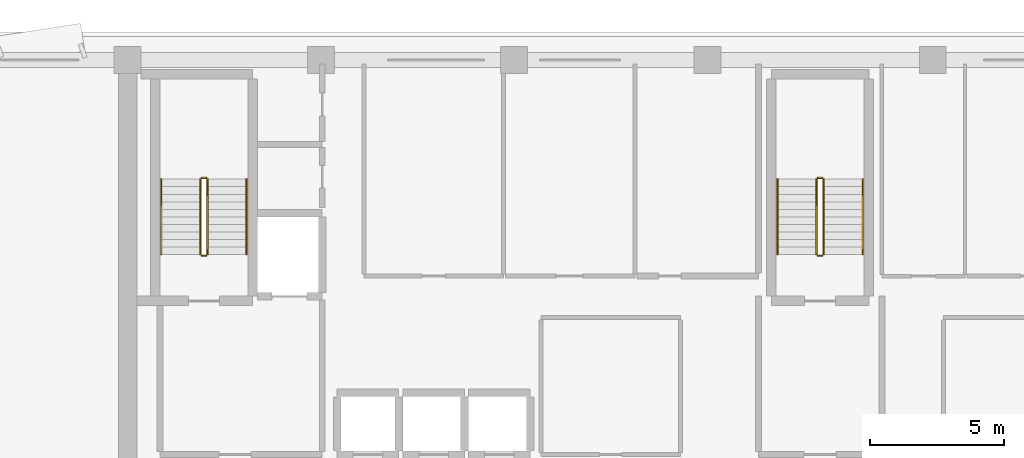
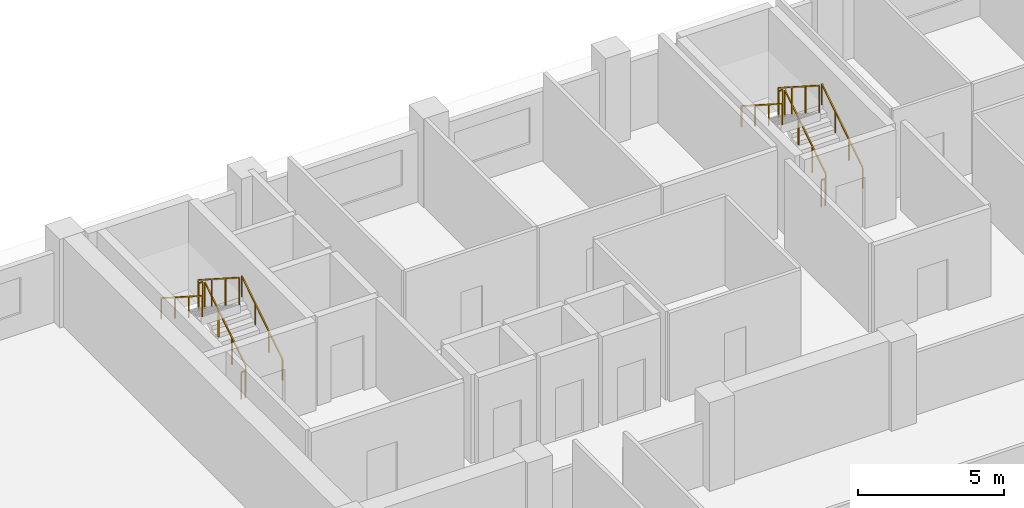
# One storey, part 10 of 11: 12 railings.
"""IFC4 building model written with IfcOpenShell, lengths in metres."""

import ifcopenshell
import ifcopenshell.guid

model = None  # the IFC model being written
_history = None  # IfcOwnerHistory: only IFC2X3 demands one
_inside = {}  # id of a spatial element -> (the spatial element, [elements in it])
_under = {}  # id of a project, library or spatial element -> (it, [spatial elements below it])
_declared = {}  # id of a project -> (the project, [libraries it declares])
_typed = {}  # id of a type object -> (the type object, [elements of that type])
_made_of = {}  # id of a material, layer set ... -> (it, [elements and type objects made of it])


def new_model(schema):
    """Start an empty IFC model of exactly this schema.

    Asked for "IFC4X3", IfcOpenShell would pick the latest addendum, in which some entities
    have other attributes; the version numbers below select the first issue.
    IFC2X3 requires an IfcOwnerHistory on every rooted entity: one is made here for all.
    """
    global model, _history
    if schema == "IFC4X3":
        model = ifcopenshell.file(schema_version=(4, 3, 0, 0))
    else:
        model = ifcopenshell.file(schema=schema)
    _inside.clear()
    _under.clear()
    _declared.clear()
    _typed.clear()
    _made_of.clear()
    _history = None
    if model.schema == "IFC2X3":
        org = make("IfcOrganization", Name="unknown")
        user = make(
            "IfcPersonAndOrganization",
            ThePerson=make("IfcPerson", FamilyName="unknown"),
            TheOrganization=org,
        )
        app = make(
            "IfcApplication",
            ApplicationDeveloper=org,
            Version="unknown",
            ApplicationFullName="unknown",
            ApplicationIdentifier="unknown",
        )
        _history = make(
            "IfcOwnerHistory",
            OwningUser=user,
            OwningApplication=app,
            ChangeAction="ADDED",
            CreationDate=0,
        )
    return model


def make(cls, **values):
    """One entity of the class cls with the attributes given. An attribute that is None is left unset."""
    return model.create_entity(
        cls, **{name: value for name, value in values.items() if value is not None}
    )


def rooted(cls, **values):
    """An entity with a GlobalId (a new one), such as an element, a storey or a relation."""
    return make(cls, GlobalId=ifcopenshell.guid.new(), OwnerHistory=_history, **values)


def si_unit(unit_type, name, prefix=None):
    """IfcSIUnit, for example si_unit("LENGTHUNIT", "METRE", prefix="MILLI")."""
    return make("IfcSIUnit", UnitType=unit_type, Prefix=prefix, Name=name)


def assignment(units):
    """IfcUnitAssignment: the units of a project."""
    return None if units is None else make("IfcUnitAssignment", Units=units)


def point(xyz):
    """IfcCartesianPoint."""
    return None if xyz is None else make("IfcCartesianPoint", Coordinates=xyz)


def direction(xyz):
    """IfcDirection."""
    return None if xyz is None else make("IfcDirection", DirectionRatios=xyz)


def frame(location, z_axis=None, x_axis=None):
    """IfcAxis2Placement3D, a coordinate frame: its origin and axes. An axis left out is left unset."""
    return make(
        "IfcAxis2Placement3D",
        Location=point(location),
        Axis=direction(z_axis),
        RefDirection=direction(x_axis),
    )


def frame_2d(location, x_axis=None):
    """IfcAxis2Placement2D, a coordinate frame in the plane: its origin and x axis."""
    return make(
        "IfcAxis2Placement2D", Location=point(location), RefDirection=direction(x_axis)
    )


def origin():
    """The frame at (0, 0, 0) with its axes left unset."""
    return frame((0.0, 0.0, 0.0))


def origin_2d():
    """The frame at (0, 0) in the plane with its x axis left unset."""
    return frame_2d((0.0, 0.0))


def place(relative_to, where):
    """IfcLocalPlacement: puts the frame where relative to a parent placement (None: the world)."""
    return make(
        "IfcLocalPlacement", PlacementRelTo=relative_to, RelativePlacement=where
    )


def context(
    kind, dimensions, precision=None, world=None, true_north=None, identifier=None
):
    """IfcGeometricRepresentationContext, for example the 3D "Model" context."""
    return make(
        "IfcGeometricRepresentationContext",
        ContextIdentifier=identifier,
        ContextType=kind,
        CoordinateSpaceDimension=dimensions,
        Precision=precision,
        WorldCoordinateSystem=world,
        TrueNorth=true_north,
    )


def subcontext(parent, identifier, kind, view, scale=None):
    """IfcGeometricRepresentationSubContext, for example "Body" below "Model"."""
    return make(
        "IfcGeometricRepresentationSubContext",
        ContextIdentifier=identifier,
        ContextType=kind,
        ParentContext=parent,
        TargetScale=scale,
        TargetView=view,
    )


def project(units=None, contexts=None):
    """IfcProject with its units and contexts."""
    return rooted(
        "IfcProject",
        Name="project",
        RepresentationContexts=contexts,
        UnitsInContext=assignment(units),
    )


def spatial(cls, under=None, at=None, **own):
    """A site, building, storey or space (cls), placed at a placement, below another one or the project."""
    s = rooted(cls, ObjectPlacement=at, **own)
    if under is not None:
        _under.setdefault(under.id(), (under, []))[1].append(s)
    return s


def profile(cls, at=None, kind="AREA", **sizes):
    """A parametric profile (cls). Its sizes go by their IFC names, for example OverallWidth=200.0."""
    return make(cls, ProfileType=kind, Position=at, **sizes)


def rectangle(**sizes):
    """IfcRectangleProfileDef."""
    return profile("IfcRectangleProfileDef", **sizes)


def extrude(swept, where, along, depth):
    """IfcExtrudedAreaSolid: the profile swept, set in the frame where, extruded along a direction by depth."""
    return make(
        "IfcExtrudedAreaSolid",
        SweptArea=swept,
        Position=where,
        ExtrudedDirection=direction(along),
        Depth=depth,
    )


def shape(context_of_items, identifier, shape_type, items):
    """IfcShapeRepresentation: the items that make up one representation, for example the "Body"."""
    return make(
        "IfcShapeRepresentation",
        ContextOfItems=context_of_items,
        RepresentationIdentifier=identifier,
        RepresentationType=shape_type,
        Items=items,
    )


def material(Name=None, Category=None):
    """IfcMaterial."""
    return make("IfcMaterial", Name=Name, Category=Category)


def made_of(thing, what):
    """Note that an element or type object is made of a material, layer set ...; save() writes the relation."""
    if what is not None:
        _made_of.setdefault(what.id(), (what, []))[1].append(thing)
    return thing


def type_object(cls, material=None, **own):
    """A type object (cls), such as IfcWallType, which elements share."""
    return made_of(rooted(cls, **own), material)


def element(
    cls,
    number,
    at=None,
    inside=None,
    cuts=None,
    type_object=None,
    material=None,
    context=None,
    identifier="Body",
    shape_type=None,
    held_by="IfcProductDefinitionShape",
    body=None,
    shapes=None,
    **own,
):
    """One element of the class cls, such as IfcWall. Its Tag is "e" and its number.

    at: its placement. inside: the storey or other place that contains it. cuts: it is an
    opening in that element (IfcRelVoidsElement). A single representation is given by context,
    identifier, shape_type and body (its items); several are given by shapes. held_by: the class
    of the entity that holds the representations. save() writes the other relations.
    """
    e = rooted(cls, Tag="e%d" % number, ObjectPlacement=at, **own)
    if body is not None:
        shapes = [shape(context, identifier, shape_type, body)]
    if shapes is not None:
        e.Representation = make(held_by, Representations=shapes)
    if inside is not None:
        _inside.setdefault(inside.id(), (inside, []))[1].append(e)
    if cuts is not None:
        rooted(
            "IfcRelVoidsElement", RelatingBuildingElement=cuts, RelatedOpeningElement=e
        )
    if type_object is not None:
        _typed.setdefault(type_object.id(), (type_object, []))[1].append(e)
    return made_of(e, material)


def aggregate(whole, parts):
    """IfcRelAggregates: a whole, such as a stair, and the parts it consists of."""
    return rooted("IfcRelAggregates", RelatingObject=whole, RelatedObjects=parts)


def save(model, path):
    """Write the relations noted so far, then the file.

    IfcRelAggregates (storeys below a building ...), IfcRelContainedInSpatialStructure (elements
    in a storey), IfcRelDefinesByType, IfcRelAssociatesMaterial and IfcRelDeclares: one each for
    every whole, place, type object, material and project.
    """
    for whole, parts in _under.values():
        aggregate(whole, parts)
    for where, things in _inside.values():
        rooted(
            "IfcRelContainedInSpatialStructure",
            RelatedElements=things,
            RelatingStructure=where,
        )
    for kind, things in _typed.values():
        rooted("IfcRelDefinesByType", RelatedObjects=things, RelatingType=kind)
    for what, things in _made_of.values():
        rooted("IfcRelAssociatesMaterial", RelatedObjects=things, RelatingMaterial=what)
    for by, libraries in _declared.values():
        rooted("IfcRelDeclares", RelatingContext=by, RelatedDefinitions=libraries)
    model.write(path)


model = new_model("IFC4")

# Units and contexts
model_context = context("Model", 3, precision=1e-05, world=origin(), true_north=direction((0.0, 1.0)))
body_context = subcontext(model_context, "Body", "Model", "MODEL_VIEW")
ifc_project = project(units=[si_unit("LENGTHUNIT", "METRE"), si_unit("AREAUNIT", "SQUARE_METRE"), si_unit("VOLUMEUNIT", "CUBIC_METRE"), si_unit("PLANEANGLEUNIT", "RADIAN"), si_unit("MASSUNIT", "GRAM", prefix="KILO")], contexts=[model_context])

# Site, building, storey
site_placement = place(None, origin())
site = spatial("IfcSite", under=ifc_project, at=site_placement, CompositionType="ELEMENT")
building_placement = place(site_placement, origin())
building = spatial("IfcBuilding", under=site, at=building_placement, Name="Kaelvorn Grand Hotel", CompositionType="ELEMENT")
storey_placement = place(building_placement, frame((0.0, 0.0, 244.949951171875)))
storey = spatial("IfcBuildingStorey", under=building, at=storey_placement, Name="L60", CompositionType="ELEMENT", Elevation=244.949951171875)

# Railings
ifc_material = material(Name="Stainless Steel", Category="steel")
railing_type_1 = type_object("IfcRailingType", Name="RL-HANDRAIL-900", PredefinedType="HANDRAIL", material=ifc_material)
railing_1_placement = place(storey_placement, frame((20.6298828125, 41.760009765625, 0.1796875)))
element("IfcRailing", 1, at=railing_1_placement, inside=storey, type_object=railing_type_1, Name="L60 ST1 stair handrail 1", PredefinedType="HANDRAIL", context=body_context, shape_type="SweptSolid", body=[
    extrude(rectangle(XDim=0.048095703125, YDim=0.048095703125, at=origin_2d()), frame((0.0, 0.0, 0.8759765625), z_axis=(0.0, 0.841809871826, 0.539774156196), x_axis=(-1.0, 0.0, 0.0)), (0.0, 0.0, 1.0), 3.326171875),
    extrude(rectangle(XDim=0.0419921875, YDim=0.0419921875, at=origin_2d()), origin(), (0.0, 0.0, 1.0), 0.851806640625),
    extrude(rectangle(XDim=0.0419921875, YDim=0.0419921875, at=origin_2d()), frame((0.0, 0.933349609375, 0.598388671875)), (0.0, 0.0, 1.0), 0.851806640625),
    extrude(rectangle(XDim=0.0419921875, YDim=0.0419921875, at=origin_2d()), frame((0.0, 1.86669921875, 1.197021484375)), (0.0, 0.0, 1.0), 0.851806640625),
    extrude(rectangle(XDim=0.0419921875, YDim=0.0419921875, at=origin_2d()), frame((0.0, 2.800048828125, 1.79541015625)), (0.0, 0.0, 1.0), 0.851806640625),
])
railing_2_placement = place(storey_placement, frame((17.449951171875, 44.56005859375, 2.154541015625)))
element("IfcRailing", 2, at=railing_2_placement, inside=storey, type_object=railing_type_1, Name="L60 ST1 stair handrail 2", PredefinedType="HANDRAIL", context=body_context, shape_type="SweptSolid", body=[
    extrude(rectangle(XDim=0.048095703125, YDim=0.048095703125, at=origin_2d()), frame((0.0, 0.0, 0.8759765625), z_axis=(0.0, -0.841809871826, 0.539774156196), x_axis=(1.0, 0.0, 0.0)), (0.0, 0.0, 1.0), 3.326171875),
    extrude(rectangle(XDim=0.0419921875, YDim=0.0419921875, at=origin_2d()), origin(), (0.0, 0.0, 1.0), 0.851806640625),
    extrude(rectangle(XDim=0.0419921875, YDim=0.0419921875, at=origin_2d()), frame((0.0, -0.933349609375, 0.598388671875)), (0.0, 0.0, 1.0), 0.851806640625),
    extrude(rectangle(XDim=0.0419921875, YDim=0.0419921875, at=origin_2d()), frame((0.0, -1.86669921875, 1.197021484375)), (0.0, 0.0, 1.0), 0.851806640625),
    extrude(rectangle(XDim=0.0419921875, YDim=0.0419921875, at=origin_2d()), frame((0.0, -2.800048828125, 1.79541015625)), (0.0, 0.0, 1.0), 0.851806640625),
])
railing_3_placement = place(storey_placement, frame((43.590087890625, 41.760009765625, 0.1796875)))
element("IfcRailing", 3, at=railing_3_placement, inside=storey, type_object=railing_type_1, Name="L60 ST2 stair handrail 1", PredefinedType="HANDRAIL", context=body_context, shape_type="SweptSolid", body=[
    extrude(rectangle(XDim=0.048095703125, YDim=0.048095703125, at=origin_2d()), frame((0.0, 0.0, 0.8759765625), z_axis=(0.0, 0.841809871826, 0.539774156196), x_axis=(-1.0, 0.0, 0.0)), (0.0, 0.0, 1.0), 3.326171875),
    extrude(rectangle(XDim=0.0419921875, YDim=0.0419921875, at=origin_2d()), origin(), (0.0, 0.0, 1.0), 0.851806640625),
    extrude(rectangle(XDim=0.0419921875, YDim=0.0419921875, at=origin_2d()), frame((0.0, 0.933349609375, 0.598388671875)), (0.0, 0.0, 1.0), 0.851806640625),
    extrude(rectangle(XDim=0.0419921875, YDim=0.0419921875, at=origin_2d()), frame((0.0, 1.86669921875, 1.197021484375)), (0.0, 0.0, 1.0), 0.851806640625),
    extrude(rectangle(XDim=0.0419921875, YDim=0.0419921875, at=origin_2d()), frame((0.0, 2.800048828125, 1.79541015625)), (0.0, 0.0, 1.0), 0.851806640625),
])
railing_4_placement = place(storey_placement, frame((40.409912109375, 44.56005859375, 2.154541015625)))
element("IfcRailing", 4, at=railing_4_placement, inside=storey, type_object=railing_type_1, Name="L60 ST2 stair handrail 2", PredefinedType="HANDRAIL", context=body_context, shape_type="SweptSolid", body=[
    extrude(rectangle(XDim=0.048095703125, YDim=0.048095703125, at=origin_2d()), frame((0.0, 0.0, 0.8759765625), z_axis=(0.0, -0.841809871826, 0.539774156196), x_axis=(1.0, 0.0, 0.0)), (0.0, 0.0, 1.0), 3.326171875),
    extrude(rectangle(XDim=0.0419921875, YDim=0.0419921875, at=origin_2d()), origin(), (0.0, 0.0, 1.0), 0.851806640625),
    extrude(rectangle(XDim=0.0419921875, YDim=0.0419921875, at=origin_2d()), frame((0.0, -0.933349609375, 0.598388671875)), (0.0, 0.0, 1.0), 0.851806640625),
    extrude(rectangle(XDim=0.0419921875, YDim=0.0419921875, at=origin_2d()), frame((0.0, -1.86669921875, 1.197021484375)), (0.0, 0.0, 1.0), 0.851806640625),
    extrude(rectangle(XDim=0.0419921875, YDim=0.0419921875, at=origin_2d()), frame((0.0, -2.800048828125, 1.79541015625)), (0.0, 0.0, 1.0), 0.851806640625),
])
railing_type_2 = type_object("IfcRailingType", Name="RL-STAIR-GUARD-1150", PredefinedType="BALUSTRADE", material=ifc_material)
railing_5_placement = place(storey_placement, frame((19.169921875, 41.760009765625, 0.1796875)))
element("IfcRailing", 5, at=railing_5_placement, inside=storey, type_object=railing_type_2, Name="L60 ST1 stair guard 1", PredefinedType="BALUSTRADE", context=body_context, shape_type="SweptSolid", body=[
    extrude(rectangle(XDim=0.048095703125, YDim=0.048095703125, at=origin_2d()), frame((0.0, 0.0, 1.1259765625), z_axis=(0.0, 0.841809871826, 0.539774156196), x_axis=(-1.0, 0.0, 0.0)), (0.0, 0.0, 1.0), 3.326171875),
    extrude(rectangle(XDim=0.0419921875, YDim=0.0419921875, at=origin_2d()), origin(), (0.0, 0.0, 1.0), 1.101806640625),
    extrude(rectangle(XDim=0.0419921875, YDim=0.0419921875, at=origin_2d()), frame((0.0, 0.933349609375, 0.598388671875)), (0.0, 0.0, 1.0), 1.101806640625),
    extrude(rectangle(XDim=0.0419921875, YDim=0.0419921875, at=origin_2d()), frame((0.0, 1.86669921875, 1.197021484375)), (0.0, 0.0, 1.0), 1.101806640625),
    extrude(rectangle(XDim=0.0419921875, YDim=0.0419921875, at=origin_2d()), frame((0.0, 2.800048828125, 1.79541015625)), (0.0, 0.0, 1.0), 1.101806640625),
])
railing_6_placement = place(storey_placement, frame((19.1201171875, 44.610107421875, 1.97509765625)))
element("IfcRailing", 6, at=railing_6_placement, inside=storey, type_object=railing_type_2, Name="L60 ST1 stair guard 2", PredefinedType="BALUSTRADE", context=body_context, shape_type="SweptSolid", body=[
    extrude(rectangle(XDim=0.048095703125, YDim=0.048095703125, at=origin_2d()), frame((0.0, 0.0, 1.1259765625), z_axis=(-1.0, 0.0, 0.0), x_axis=(0.0, -1.0, 0.0)), (0.0, 0.0, 1.0), 0.16015625),
    extrude(rectangle(XDim=0.0419921875, YDim=0.0419921875, at=origin_2d()), origin(), (0.0, 0.0, 1.0), 1.101806640625),
    extrude(rectangle(XDim=0.0419921875, YDim=0.0419921875, at=origin_2d()), frame((-0.16015625, 0.0, 0.0)), (0.0, 0.0, 1.0), 1.101806640625),
])
railing_7_placement = place(storey_placement, frame((18.909912109375, 44.56005859375, 2.154541015625)))
element("IfcRailing", 7, at=railing_7_placement, inside=storey, type_object=railing_type_2, Name="L60 ST1 stair guard 3", PredefinedType="BALUSTRADE", context=body_context, shape_type="SweptSolid", body=[
    extrude(rectangle(XDim=0.048095703125, YDim=0.048095703125, at=origin_2d()), frame((0.0, 0.0, 1.1259765625), z_axis=(0.0, -0.841809871826, 0.539774156196), x_axis=(1.0, 0.0, 0.0)), (0.0, 0.0, 1.0), 3.326171875),
    extrude(rectangle(XDim=0.0419921875, YDim=0.0419921875, at=origin_2d()), origin(), (0.0, 0.0, 1.0), 1.101806640625),
    extrude(rectangle(XDim=0.0419921875, YDim=0.0419921875, at=origin_2d()), frame((0.0, -0.933349609375, 0.598388671875)), (0.0, 0.0, 1.0), 1.101806640625),
    extrude(rectangle(XDim=0.0419921875, YDim=0.0419921875, at=origin_2d()), frame((0.0, -1.86669921875, 1.197021484375)), (0.0, 0.0, 1.0), 1.101806640625),
    extrude(rectangle(XDim=0.0419921875, YDim=0.0419921875, at=origin_2d()), frame((0.0, -2.800048828125, 1.79541015625)), (0.0, 0.0, 1.0), 1.101806640625),
])
railing_8_placement = place(storey_placement, frame((19.1201171875, 41.7099609375, 0.0)))
element("IfcRailing", 8, at=railing_8_placement, inside=storey, type_object=railing_type_2, Name="L60 ST1 stair guard 4", PredefinedType="BALUSTRADE", context=body_context, shape_type="SweptSolid", body=[
    extrude(rectangle(XDim=0.048095703125, YDim=0.048095703125, at=origin_2d()), frame((0.0, 0.0, 1.1259765625), z_axis=(-1.0, 0.0, 0.0), x_axis=(0.0, -1.0, 0.0)), (0.0, 0.0, 1.0), 0.16015625),
    extrude(rectangle(XDim=0.0419921875, YDim=0.0419921875, at=origin_2d()), origin(), (0.0, 0.0, 1.0), 1.101806640625),
    extrude(rectangle(XDim=0.0419921875, YDim=0.0419921875, at=origin_2d()), frame((-0.16015625, 0.0, 0.0)), (0.0, 0.0, 1.0), 1.101806640625),
])
railing_9_placement = place(storey_placement, frame((42.1298828125, 41.760009765625, 0.1796875)))
element("IfcRailing", 9, at=railing_9_placement, inside=storey, type_object=railing_type_2, Name="L60 ST2 stair guard 1", PredefinedType="BALUSTRADE", context=body_context, shape_type="SweptSolid", body=[
    extrude(rectangle(XDim=0.048095703125, YDim=0.048095703125, at=origin_2d()), frame((0.0, 0.0, 1.1259765625), z_axis=(0.0, 0.841809871826, 0.539774156196), x_axis=(-1.0, 0.0, 0.0)), (0.0, 0.0, 1.0), 3.326171875),
    extrude(rectangle(XDim=0.0419921875, YDim=0.0419921875, at=origin_2d()), origin(), (0.0, 0.0, 1.0), 1.101806640625),
    extrude(rectangle(XDim=0.0419921875, YDim=0.0419921875, at=origin_2d()), frame((0.0, 0.933349609375, 0.598388671875)), (0.0, 0.0, 1.0), 1.101806640625),
    extrude(rectangle(XDim=0.0419921875, YDim=0.0419921875, at=origin_2d()), frame((0.0, 1.86669921875, 1.197021484375)), (0.0, 0.0, 1.0), 1.101806640625),
    extrude(rectangle(XDim=0.0419921875, YDim=0.0419921875, at=origin_2d()), frame((0.0, 2.800048828125, 1.79541015625)), (0.0, 0.0, 1.0), 1.101806640625),
])
railing_10_placement = place(storey_placement, frame((42.080078125, 44.610107421875, 1.97509765625)))
element("IfcRailing", 10, at=railing_10_placement, inside=storey, type_object=railing_type_2, Name="L60 ST2 stair guard 2", PredefinedType="BALUSTRADE", context=body_context, shape_type="SweptSolid", body=[
    extrude(rectangle(XDim=0.048095703125, YDim=0.048095703125, at=origin_2d()), frame((0.0, 0.0, 1.1259765625), z_axis=(-1.0, 0.0, 0.0), x_axis=(0.0, -1.0, 0.0)), (0.0, 0.0, 1.0), 0.16015625),
    extrude(rectangle(XDim=0.0419921875, YDim=0.0419921875, at=origin_2d()), origin(), (0.0, 0.0, 1.0), 1.101806640625),
    extrude(rectangle(XDim=0.0419921875, YDim=0.0419921875, at=origin_2d()), frame((-0.16015625, 0.0, 0.0)), (0.0, 0.0, 1.0), 1.101806640625),
])
railing_11_placement = place(storey_placement, frame((41.8701171875, 44.56005859375, 2.154541015625)))
element("IfcRailing", 11, at=railing_11_placement, inside=storey, type_object=railing_type_2, Name="L60 ST2 stair guard 3", PredefinedType="BALUSTRADE", context=body_context, shape_type="SweptSolid", body=[
    extrude(rectangle(XDim=0.048095703125, YDim=0.048095703125, at=origin_2d()), frame((0.0, 0.0, 1.1259765625), z_axis=(0.0, -0.841809871826, 0.539774156196), x_axis=(1.0, 0.0, 0.0)), (0.0, 0.0, 1.0), 3.326171875),
    extrude(rectangle(XDim=0.0419921875, YDim=0.0419921875, at=origin_2d()), origin(), (0.0, 0.0, 1.0), 1.101806640625),
    extrude(rectangle(XDim=0.0419921875, YDim=0.0419921875, at=origin_2d()), frame((0.0, -0.933349609375, 0.598388671875)), (0.0, 0.0, 1.0), 1.101806640625),
    extrude(rectangle(XDim=0.0419921875, YDim=0.0419921875, at=origin_2d()), frame((0.0, -1.86669921875, 1.197021484375)), (0.0, 0.0, 1.0), 1.101806640625),
    extrude(rectangle(XDim=0.0419921875, YDim=0.0419921875, at=origin_2d()), frame((0.0, -2.800048828125, 1.79541015625)), (0.0, 0.0, 1.0), 1.101806640625),
])
railing_12_placement = place(storey_placement, frame((42.080078125, 41.7099609375, 0.0)))
element("IfcRailing", 12, at=railing_12_placement, inside=storey, type_object=railing_type_2, Name="L60 ST2 stair guard 4", PredefinedType="BALUSTRADE", context=body_context, shape_type="SweptSolid", body=[
    extrude(rectangle(XDim=0.048095703125, YDim=0.048095703125, at=origin_2d()), frame((0.0, 0.0, 1.1259765625), z_axis=(-1.0, 0.0, 0.0), x_axis=(0.0, -1.0, 0.0)), (0.0, 0.0, 1.0), 0.16015625),
    extrude(rectangle(XDim=0.0419921875, YDim=0.0419921875, at=origin_2d()), origin(), (0.0, 0.0, 1.0), 1.101806640625),
    extrude(rectangle(XDim=0.0419921875, YDim=0.0419921875, at=origin_2d()), frame((-0.16015625, 0.0, 0.0)), (0.0, 0.0, 1.0), 1.101806640625),
])

save(model, "model.ifc")
